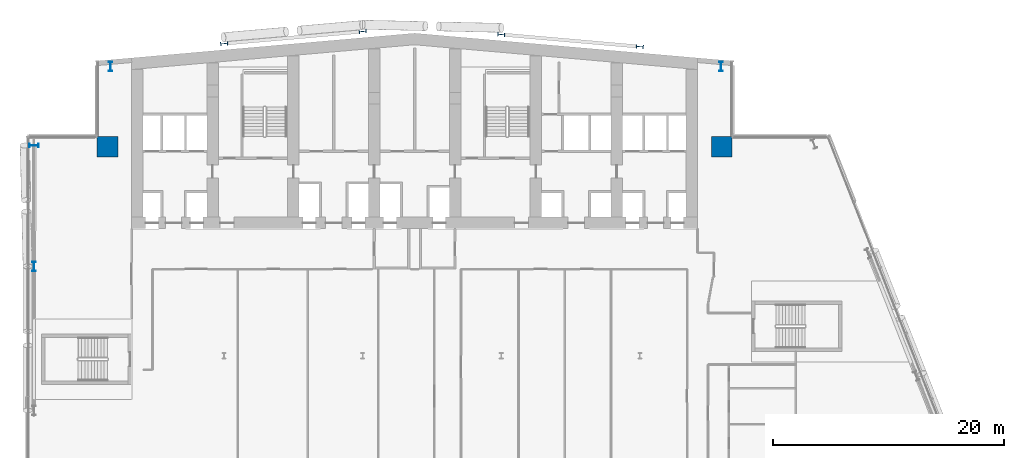
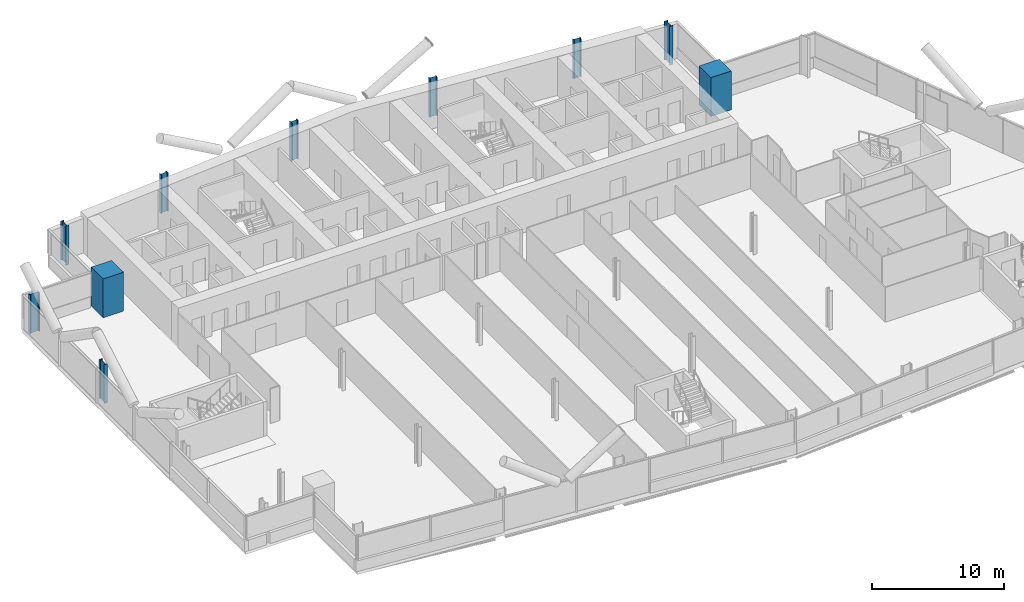
# One storey, part 3 of 26: 10 columns.
"""IFC4 building model written with IfcOpenShell, lengths in metres."""

from ifc_helpers import new_model, si_unit, direction, frame, origin, origin_2d, place, context, subcontext, project, spatial, rectangle, i_section, extrude, material, material_profile, profile_set, type_object, element, save


model = new_model("IFC4")

# Units and contexts
model_context = context("Model", 3, precision=1e-05, world=origin(), true_north=direction((0.0, 1.0)))
body_context = subcontext(model_context, "Body", "Model", "MODEL_VIEW")
ifc_project = project(units=[si_unit("LENGTHUNIT", "METRE"), si_unit("AREAUNIT", "SQUARE_METRE"), si_unit("VOLUMEUNIT", "CUBIC_METRE"), si_unit("PLANEANGLEUNIT", "RADIAN"), si_unit("MASSUNIT", "GRAM", prefix="KILO")], contexts=[model_context])

# Site, building, storey
site_placement = place(None, origin())
site = spatial("IfcSite", under=ifc_project, at=site_placement, CompositionType="ELEMENT")
building_placement = place(site_placement, origin())
building = spatial("IfcBuilding", under=site, at=building_placement, Name="Wharfspan Tower", CompositionType="ELEMENT")
storey_placement = place(building_placement, frame((0.0, 0.0, 125.5)))
storey = spatial("IfcBuildingStorey", under=building, at=storey_placement, Name="L29", CompositionType="ELEMENT", Elevation=125.5)

# Columns
ifc_material_1 = material(Name="Steel S355J2", Category="steel")
ifc_material_profile_1 = material_profile(ifc_material_1, i_section(OverallWidth=0.304932, OverallDepth=0.620117, WebThickness=0.020996, FlangeThickness=0.040039, FilletRadius=0.0271, at=origin_2d()))
ifc_profile_set_1 = profile_set([ifc_material_profile_1], Name="Steel S355J2")
column_type_1 = type_object("IfcColumnType", Name="Column HEM 600", PredefinedType="COLUMN", material=ifc_profile_set_1)
for number, where, z_axis, x_axis, name in (
    (1, (24.0, 50.027344, 0.0), (0.0, 0.0, 1.0), (-0.087156, 0.996198, 0.0), "Rear column R.1 L29"),
    (2, (36.0, 51.077148, 0.0), (0.0, 0.0, 1.0), (-0.087156, 0.996198, 0.0), "Rear column R.2 L29"),
    (3, (48.0, 50.814697, 0.0), (0.0, 0.0, 1.0), (0.087156, 0.996198, 0.0), "Rear column R.3 L29"),
    (4, (60.0, 49.764893, 0.0), (0.0, 0.0, 1.0), (0.087156, 0.996198, 0.0), "Rear column R.4 L29"),
):
    element("IfcColumn", number, at=place(storey_placement, frame(where, z_axis=z_axis, x_axis=x_axis)), inside=storey, type_object=column_type_1, Name=name, PredefinedType="COLUMN", context=body_context, shape_type="SweptSolid", body=[
        extrude(i_section(OverallWidth=0.304932, OverallDepth=0.620117, WebThickness=0.020996, FlangeThickness=0.040039, FilletRadius=0.0271, at=origin_2d()), origin(), (0.0, 0.0, 1.0), 3.600098),
    ])
ifc_material_profile_2 = material_profile(ifc_material_1, i_section(OverallWidth=0.302979, OverallDepth=0.813965, WebThickness=0.020996, FlangeThickness=0.040039, FilletRadius=0.030029, at=origin_2d()))
ifc_profile_set_2 = profile_set([ifc_material_profile_2], Name="Steel S355J2")
column_type_2 = type_object("IfcColumnType", Name="Column HEM 800", PredefinedType="COLUMN", material=ifc_profile_set_2)
for number, where, z_axis, x_axis, name in (
    (5, (67.031982, 48.035645, 0.0), (0.0, 0.0, 1.0), (1.0, 0.0, 0.0), "Perimeter column PNRE-V.1 L29"),
    (6, (14.171631, 48.03418, 0.0), (0.0, 0.0, 1.0), (-1.0, 0.0, 0.0), "Perimeter column PNRW-V.1 L29"),
    (7, (7.544434, 41.208008, 0.0), (0.0, 0.0, 1.0), (0.0, 1.0, 0.0), "Perimeter column PNRW-H.1 L29"),
    (8, (7.540039, 30.733398, 0.0), (0.0, 0.0, 1.0), (-1.0, 0.0, 0.0), "Perimeter column PW.1 L29"),
):
    element("IfcColumn", number, at=place(storey_placement, frame(where, z_axis=z_axis, x_axis=x_axis)), inside=storey, type_object=column_type_2, Name=name, PredefinedType="COLUMN", context=body_context, shape_type="SweptSolid", body=[
        extrude(i_section(OverallWidth=0.302979, OverallDepth=0.813965, WebThickness=0.020996, FlangeThickness=0.040039, FilletRadius=0.030029, at=origin_2d()), origin(), (0.0, 0.0, 1.0), 3.600098),
    ])
ifc_material_2 = material(Name="Concrete C70/85", Category="concrete")
ifc_material_profile_3 = material_profile(ifc_material_2, rectangle(XDim=1.800049, YDim=1.800049, at=origin_2d()))
ifc_profile_set_3 = profile_set([ifc_material_profile_3], Name="Concrete C70/85")
column_type_3 = type_object("IfcColumnType", Name="Mega column 1800 C70/85", PredefinedType="COLUMN", material=ifc_profile_set_3)
for number, where, z_axis, x_axis, name in (
    (9, (13.899902, 41.100098, 0.0), (0.0, 0.0, 1.0), (1.0, 0.0, 0.0), "Mega column MC2 L29"),
    (10, (67.100098, 41.100098, 0.0), (0.0, 0.0, 1.0), (1.0, 0.0, 0.0), "Mega column MC3 L29"),
):
    element("IfcColumn", number, at=place(storey_placement, frame(where, z_axis=z_axis, x_axis=x_axis)), inside=storey, type_object=column_type_3, Name=name, PredefinedType="COLUMN", context=body_context, shape_type="SweptSolid", body=[
        extrude(rectangle(XDim=1.800049, YDim=1.800049, at=origin_2d()), origin(), (0.0, 0.0, 1.0), 3.600098),
    ])

save(model, "model.ifc")
